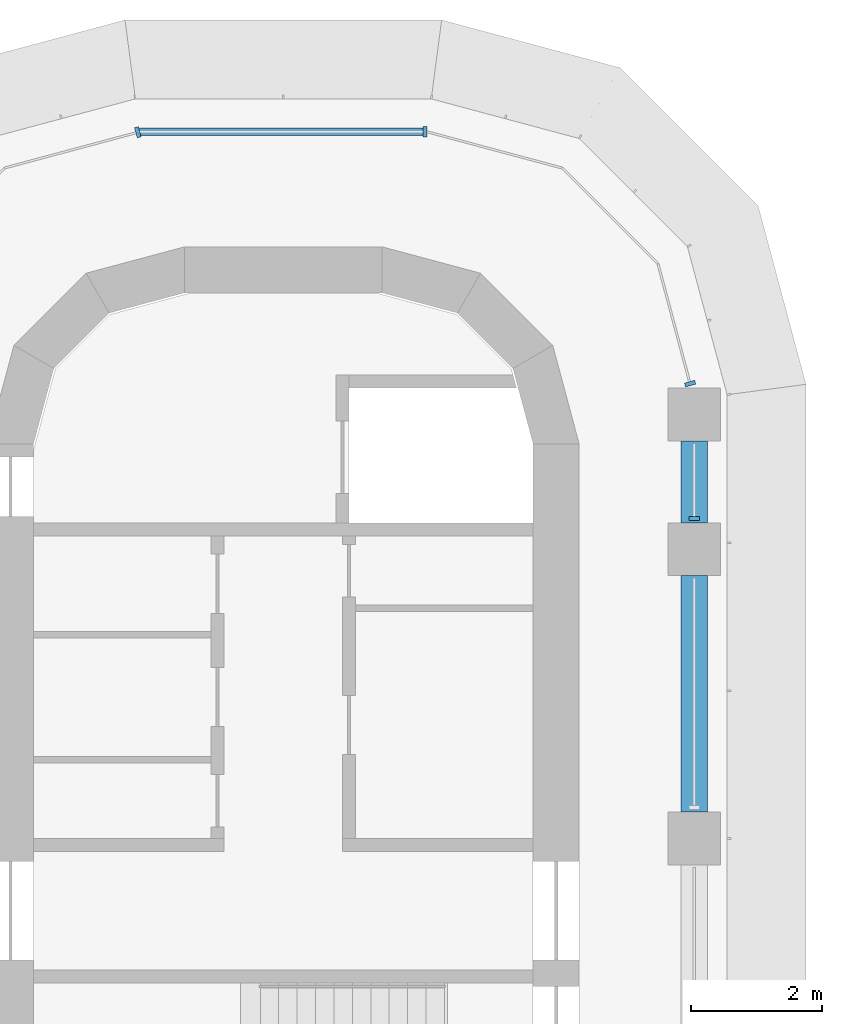
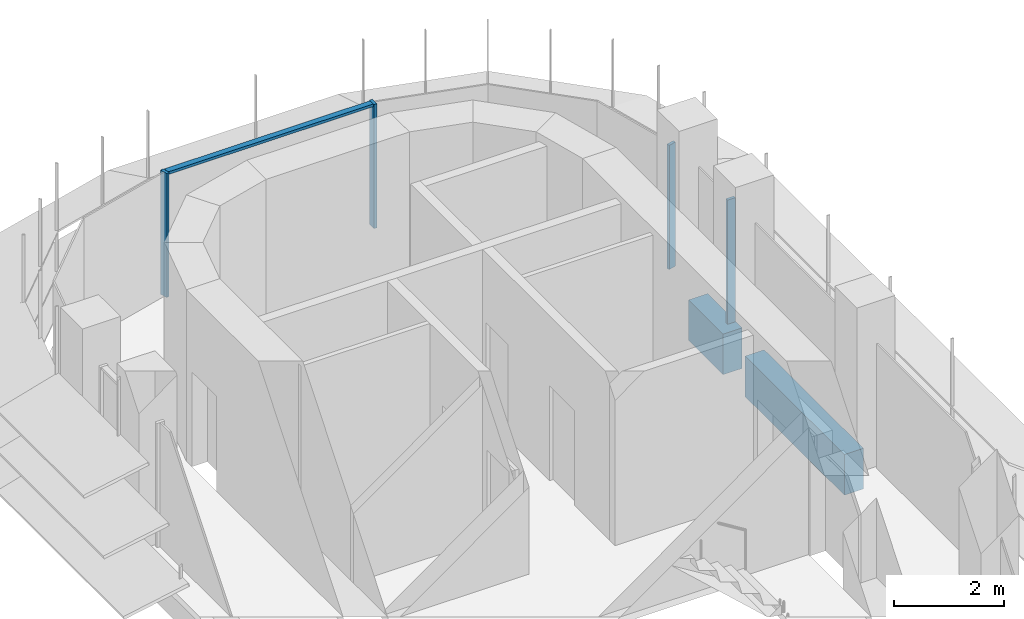
# One storey, part 9 of 19: 5 members, 2 beams, 4 elements without a shape of their own.
"""IFC4 building model written with IfcOpenShell, lengths in metres."""

from ifc_helpers import new_model, si_unit, direction, frame, origin, origin_2d, place, context, subcontext, project, spatial, polyline, rectangle, outline, extrude, source, transform, mapped, material, material_profile, profile_set, type_object, element, aggregate, save


model = new_model("IFC4")

# Units and contexts
model_context = context("Model", 3, precision=1e-05, world=origin(), true_north=direction((0.0, 1.0)))
body_context = subcontext(model_context, "Body", "Model", "MODEL_VIEW")
ifc_project = project(units=[si_unit("LENGTHUNIT", "METRE"), si_unit("AREAUNIT", "SQUARE_METRE"), si_unit("VOLUMEUNIT", "CUBIC_METRE"), si_unit("PLANEANGLEUNIT", "RADIAN"), si_unit("MASSUNIT", "GRAM", prefix="KILO")], contexts=[model_context])

# Site, building, storey
site_placement = place(None, origin())
site = spatial("IfcSite", under=ifc_project, at=site_placement, CompositionType="ELEMENT")
building_placement = place(site_placement, origin())
building = spatial("IfcBuilding", under=site, at=building_placement, Name="Zarbagh Exchange Tower", CompositionType="ELEMENT")
storey_placement = place(building_placement, frame((0.0, 0.0, 160.0)))
storey = spatial("IfcBuildingStorey", under=building, at=storey_placement, Name="L38", CompositionType="ELEMENT", Elevation=160.0)

# Beams
ifc_material_1 = material(Name="Concrete C50/60", Category="concrete")
ifc_material_profile = material_profile(ifc_material_1, rectangle(XDim=0.39990234375, YDim=0.89990234375, at=origin_2d()), Name="RC spandrel beam 400 x 900 C50/60")
ifc_profile_set = profile_set([ifc_material_profile], Name="Concrete C50/60")
beam_type = type_object("IfcBeamType", Name="RC spandrel beam 400 x 900 C50/60", PredefinedType="SPANDREL", material=ifc_profile_set)
beam_1_placement = place(storey_placement, frame((6.25, 26.300048828125, -0.60009765625), z_axis=(0.0, -1.0, 0.0), x_axis=(1.0, 0.0, 0.0)))
element("IfcBeam", 1, at=beam_1_placement, inside=storey, type_object=beam_type, Name="RC spandrel beam", PredefinedType="SPANDREL", context=body_context, shape_type="SweptSolid", body=[
    extrude(rectangle(XDim=0.39990234375, YDim=0.89990234375, at=origin_2d()), origin(), (0.0, 0.0, 1.0), 1.25),
])
beam_2_placement = place(storey_placement, frame((6.25, 24.25, -0.60009765625), z_axis=(0.0, -1.0, 0.0), x_axis=(1.0, 0.0, 0.0)))
element("IfcBeam", 2, at=beam_2_placement, inside=storey, type_object=beam_type, Name="RC spandrel beam", PredefinedType="SPANDREL", context=body_context, shape_type="SweptSolid", body=[
    extrude(rectangle(XDim=0.39990234375, YDim=0.89990234375, at=origin_2d()), origin(), (0.0, 0.0, 1.0), 3.60009765625),
])

# Curtain wall, member
ifc_material_2 = material(Name="Anodised aluminium frame and glazing", Category="aluminium")
curtain_wall_type = type_object("IfcCurtainWallType", Name="CWB Ribbon glazing, upper zones", PredefinedType="NOTDEFINED", material=ifc_material_2)
curtain_wall_1_placement = place(storey_placement, origin())
curtain_wall_1 = element("IfcCurtainWall", 3, at=curtain_wall_1_placement, inside=storey, type_object=curtain_wall_type, Name="CWB20 curtain wall", PredefinedType="NOTDEFINED")
ifc_material_3 = material(Name="Anodised aluminium frame", Category="aluminium")
member_type_1 = type_object("IfcMemberType", Name="MUB Mullion, anodised aluminium frame", PredefinedType="MULLION", material=ifc_material_3)
shared_shape_1 = source(origin(), body_context, "Body", "SweptSolid", [
    extrude(outline(polyline([(0.0, -0.080078125), (0.06005859375, -0.080078125), (0.06005859375, 0.080078125), (0.0, 0.080078125), (0.0, -0.080078125)])), origin(), (0.0, 0.0, 1.0), 2.75),
])
placement = place(storey_placement, origin())
member_1 = element("IfcMember", 4, at=placement, type_object=member_type_1, Name="CWB20 mullion 4.1", PredefinedType="MULLION", context=body_context, shape_type="MappedRepresentation", body=[
    mapped(shared_shape_1, transform((6.25, 25.090087890625, 0.0), x_axis=(0.0, 1.0, 0.0), y_axis=(-1.0, 0.0, 0.0), z_axis=(0.0, 0.0, 1.0))),
])
aggregate(curtain_wall_1, [member_1])

curtain_wall_2_placement = place(storey_placement, origin())
curtain_wall_2 = element("IfcCurtainWall", 5, at=curtain_wall_2_placement, inside=storey, type_object=curtain_wall_type, Name="CWB21 curtain wall", PredefinedType="NOTDEFINED")
member_2 = element("IfcMember", 6, at=placement, type_object=member_type_1, Name="CWB21 mullion 1.1", PredefinedType="MULLION", context=body_context, shape_type="MappedRepresentation", body=[
    mapped(shared_shape_1, transform((6.19482421875, 27.139892578125, 0.0), x_axis=(-0.258824779902, 0.965924289636, 0.0), y_axis=(-0.965924289636, -0.258824779902, 0.0), z_axis=(0.0, 0.0, 1.0))),
])
aggregate(curtain_wall_2, [member_2])

curtain_wall_3_placement = place(storey_placement, origin())
curtain_wall_3 = element("IfcCurtainWall", 7, at=curtain_wall_3_placement, inside=storey, type_object=curtain_wall_type, Name="CWB24 curtain wall", PredefinedType="NOTDEFINED")
member_3 = element("IfcMember", 8, at=placement, type_object=member_type_1, Name="CWB24 mullion 1.1", PredefinedType="MULLION", context=body_context, shape_type="MappedRepresentation", body=[
    mapped(shared_shape_1, transform((2.18408203125, 31.0, 0.0), x_axis=(-1.0, 0.0, 0.0), y_axis=(0.0, -1.0, 0.0), z_axis=(0.0, 0.0, 1.0))),
])

curtain_wall_4_placement = place(storey_placement, origin())
curtain_wall_4 = element("IfcCurtainWall", 9, at=curtain_wall_4_placement, inside=storey, type_object=curtain_wall_type, Name="CWB25 curtain wall", PredefinedType="NOTDEFINED")
member_4 = element("IfcMember", 10, at=placement, type_object=member_type_1, Name="CWB25 mullion 1.1", PredefinedType="MULLION", context=body_context, shape_type="MappedRepresentation", body=[
    mapped(shared_shape_1, transform((-2.18408203125, 31.0, 0.0), x_axis=(-0.965924289636, -0.258824779902, 0.0), y_axis=(0.258824779902, -0.965924289636, 0.0), z_axis=(0.0, 0.0, 1.0))),
])
aggregate(curtain_wall_4, [member_4])

# Member
member_type_2 = type_object("IfcMemberType", Name="TRB Transom, anodised aluminium frame", PredefinedType="USERDEFINED", material=ifc_material_3)
shared_shape_2 = source(origin(), body_context, "Body", "SweptSolid", [
    extrude(outline(polyline([(-0.06005859375, -0.06005859375), (0.0, -0.06005859375), (0.0, 0.06005859375), (-0.06005859375, 0.06005859375), (-0.06005859375, -0.06005859375)])), origin(), (0.0, 0.0, 1.0), 4.308349609375),
])
member_5 = element("IfcMember", 11, at=placement, type_object=member_type_2, Name="CWB24 transom 1.1", ObjectType="TRANSOM", PredefinedType="USERDEFINED", context=body_context, shape_type="MappedRepresentation", body=[
    mapped(shared_shape_2, transform((2.124267578125, 31.0, 2.75), x_axis=(0.0, 0.0, 1.0), y_axis=(0.0, 1.0, 0.0), z_axis=(-1.0, 0.0, 0.0))),
])

aggregate(curtain_wall_3, [member_3, member_5])

save(model, "model.ifc")
